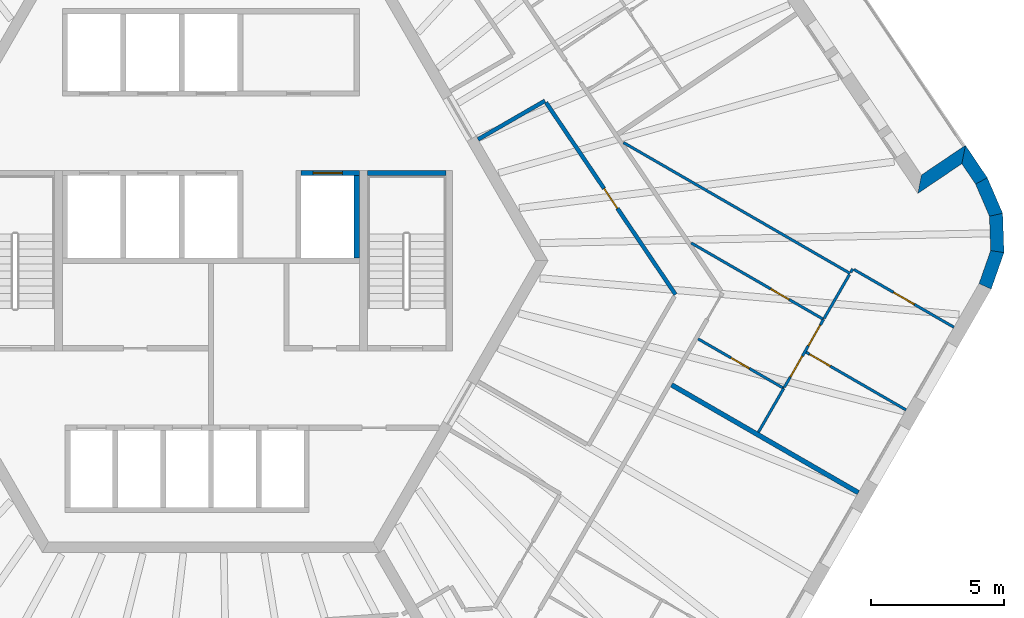
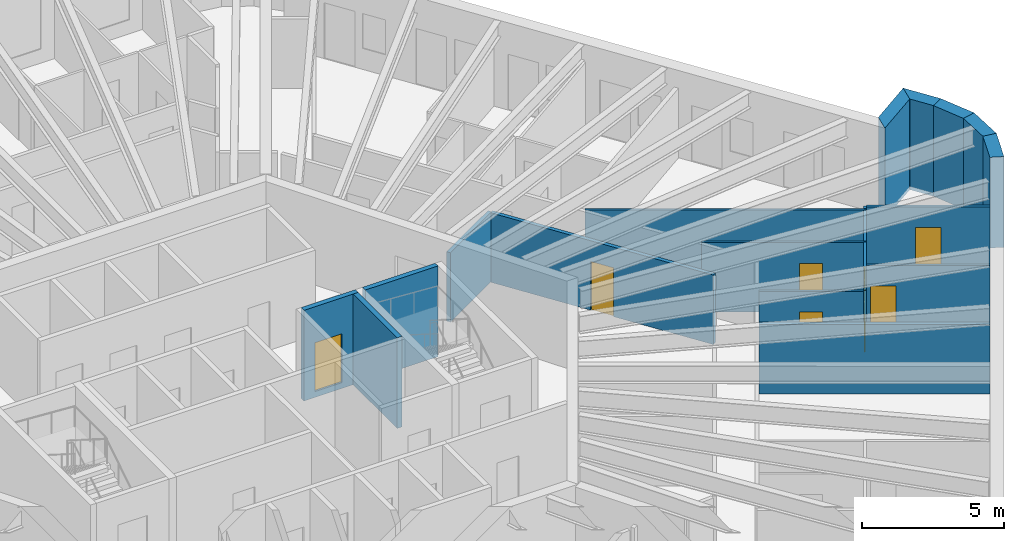
# One storey, part 7 of 12: 20 walls, 8 doors, 8 openings.
"""IFC4 building model written with IfcOpenShell, lengths in metres."""

from ifc_helpers import new_model, si_unit, direction, frame, frame_2d, origin, place, context, subcontext, project, spatial, polyline, rectangle, outline, extrude, material, layer, layer_set, type_object, element, fill, save


model = new_model("IFC4")

# Units and contexts
model_context = context("Model", 3, precision=1e-05, world=origin(), true_north=direction((0.0, 1.0)))
body_context = subcontext(model_context, "Body", "Model", "MODEL_VIEW")
ifc_project = project(units=[si_unit("LENGTHUNIT", "METRE"), si_unit("AREAUNIT", "SQUARE_METRE"), si_unit("VOLUMEUNIT", "CUBIC_METRE"), si_unit("PLANEANGLEUNIT", "RADIAN"), si_unit("MASSUNIT", "GRAM", prefix="KILO")], contexts=[model_context])

# Site, building, storey
site_placement = place(None, origin())
site = spatial("IfcSite", under=ifc_project, at=site_placement, CompositionType="ELEMENT")
building_placement = place(site_placement, origin())
building = spatial("IfcBuilding", under=site, at=building_placement, Name="Tarnside Tower", CompositionType="ELEMENT")
storey_placement = place(building_placement, frame((0.0, 0.0, 287.39990234375)))
storey = spatial("IfcBuildingStorey", under=building, at=storey_placement, Name="L69", CompositionType="ELEMENT", Elevation=287.39990234375)

# Wall
ifc_material_1 = material(Name="Gypsum board partition on steel studs", Category="steel")
ifc_layer_1 = layer(ifc_material_1, 0.10009765625)
ifc_layer_set_1 = layer_set([ifc_layer_1], Name="Bathroom wall 100")
wall_type_1 = type_object("IfcWallType", Name="Bathroom wall 100", PredefinedType="PARTITIONING", material=ifc_layer_set_1)
wall_1_placement = place(storey_placement, frame((15.54541015625, 4.447998046875, 0.0), z_axis=(0.0, 0.0, 1.0), x_axis=(0.866022320763, -0.500005339912, 0.0)))
element("IfcWall", 1, at=wall_1_placement, inside=storey, type_object=wall_type_1, Name="Bathroom wall 22157", PredefinedType="PARTITIONING", context=body_context, shape_type="SweptSolid", body=[
    extrude(rectangle(XDim=9.861328125, YDim=0.10009765625, at=frame_2d((4.9306640625, 0.0))), origin(), (0.0, 0.0, 1.0), 2.98779296875),
])

# Wall, opening, door
wall_2_placement = place(storey_placement, frame((18.359619140625, -2.9501953125, 0.0), z_axis=(0.0, 0.0, 1.0), x_axis=(0.866012039196, -0.500023147432, 0.0)))
wall_2 = element("IfcWall", 2, at=wall_2_placement, inside=storey, type_object=wall_type_1, Name="Bathroom wall 22160", PredefinedType="PARTITIONING", context=body_context, shape_type="SweptSolid", body=[
    extrude(rectangle(XDim=3.724853515625, YDim=0.10009765625, at=frame_2d((1.8623046875, 0.0))), origin(), (0.0, 0.0, 1.0), 2.98779296875),
])
opening_1_placement = place(wall_2_placement, frame((1.425048828125, 0.0, 0.0)))
opening_1 = element("IfcOpeningElement", 3, at=opening_1_placement, cuts=wall_2, Name="Opening D-B1", PredefinedType="OPENING", context=body_context, shape_type="SweptSolid", body=[
    extrude(rectangle(XDim=0.800048828125, YDim=2.10009765625, at=frame_2d((0.39990234375, 1.050048828125))), frame((0.0, 0.06005859375, 0.0), z_axis=(0.0, -1.0, 0.0), x_axis=(1.0, 0.0, 0.0)), (0.0, 0.0, 1.0), 0.1201171875),
])
ifc_material_2 = material(Name="Timber door leaf", Category="wood")
door_type_1 = type_object("IfcDoorType", Name="Bathroom door 800", OperationType="NOTDEFINED", PredefinedType="DOOR", material=ifc_material_2)
door_1_placement = place(opening_1_placement, origin())
door_1 = element("IfcDoor", 4, at=door_1_placement, inside=storey, type_object=door_type_1, Name="Bathroom door 22066", OperationType="SINGLE_SWING_RIGHT", OverallHeight=2.10009765625, OverallWidth=0.800048828125, PredefinedType="DOOR", context=body_context, shape_type="SweptSolid", body=[
    extrude(rectangle(XDim=0.800048828125, YDim=2.10009765625, at=frame_2d((0.39990234375, 1.050048828125))), frame((0.0, 0.02490234375, 0.0), z_axis=(0.0, -1.0, 0.0), x_axis=(1.0, 0.0, 0.0)), (0.0, 0.0, 1.0), 0.050048828125),
])
fill(opening_1, door_1)

wall_3_placement = place(storey_placement, frame((23.08544921875, -2.214599609375, 0.0), z_axis=(0.0, 0.0, 1.0), x_axis=(-0.866017611601, 0.500013496215, 0.0)))
wall_3 = element("IfcWall", 5, at=wall_3_placement, inside=storey, type_object=wall_type_1, Name="Bathroom wall 22163", PredefinedType="PARTITIONING", context=body_context, shape_type="SweptSolid", body=[
    extrude(rectangle(XDim=5.760498046875, YDim=0.10009765625, at=frame_2d((2.88037109375, 0.0))), origin(), (0.0, 0.0, 1.0), 2.98779296875),
])
opening_2_placement = place(wall_3_placement, frame((1.5, 0.0, 0.0)))
opening_2 = element("IfcOpeningElement", 6, at=opening_2_placement, cuts=wall_3, Name="Opening D-B1", PredefinedType="OPENING", context=body_context, shape_type="SweptSolid", body=[
    extrude(rectangle(XDim=0.800048828125, YDim=2.10009765625, at=frame_2d((0.39990234375, 1.050048828125))), frame((0.0, 0.06005859375, 0.0), z_axis=(0.0, -1.0, 0.0), x_axis=(1.0, 0.0, 0.0)), (0.0, 0.0, 1.0), 0.1201171875),
])
door_2_placement = place(opening_2_placement, origin())
door_2 = element("IfcDoor", 7, at=door_2_placement, inside=storey, type_object=door_type_1, Name="Bathroom door 22073", OperationType="SINGLE_SWING_RIGHT", OverallHeight=2.10009765625, OverallWidth=0.800048828125, PredefinedType="DOOR", context=body_context, shape_type="SweptSolid", body=[
    extrude(rectangle(XDim=0.800048828125, YDim=2.10009765625, at=frame_2d((0.39990234375, 1.050048828125))), frame((0.0, 0.02490234375, 0.0), z_axis=(0.0, -1.0, 0.0), x_axis=(1.0, 0.0, 0.0)), (0.0, 0.0, 1.0), 0.050048828125),
])
fill(opening_2, door_2)

# Walls
wall_4_placement = place(storey_placement, frame((20.630615234375, -6.466796875, 0.0), z_axis=(0.0, 0.0, 1.0), x_axis=(0.49994353734, 0.866058000062, 0.0)))
element("IfcWall", 8, at=wall_4_placement, inside=storey, type_object=wall_type_1, Name="Bathroom wall 22164", PredefinedType="PARTITIONING", context=body_context, shape_type="SweptSolid", body=[
    extrude(rectangle(XDim=1.911865234375, YDim=0.10009765625, at=frame_2d((0.9560546875, 0.0))), origin(), (0.0, 0.0, 1.0), 2.98779296875),
])
wall_5_placement = place(storey_placement, frame((24.060546875, -0.52587890625, 0.0), z_axis=(0.0, 0.0, 1.0), x_axis=(-0.499967155389, -0.866044365799, 0.0)))
element("IfcWall", 9, at=wall_5_placement, inside=storey, type_object=wall_type_1, Name="Bathroom wall 22166", PredefinedType="PARTITIONING", context=body_context, shape_type="SweptSolid", body=[
    extrude(rectangle(XDim=1.900146484375, YDim=0.10009765625, at=frame_2d((0.9501953125, 0.0))), origin(), (0.0, 0.0, 1.0), 2.98779296875),
])
ifc_layer_2 = layer(ifc_material_1, 0.14990234375)
ifc_layer_set_2 = layer_set([ifc_layer_2], Name="Corridor wall 150 EI 60")
wall_type_2 = type_object("IfcWallType", Name="Corridor wall 150 EI 60", PredefinedType="PARTITIONING", material=ifc_layer_set_2)
wall_6_placement = place(storey_placement, frame((10.065673828125, 4.565673828125, 0.0), z_axis=(0.0, 0.0, 1.0), x_axis=(0.866034661658, 0.49998396455, 0.0)))
element("IfcWall", 10, at=wall_6_placement, inside=storey, type_object=wall_type_2, Name="Corridor wall 22072", PredefinedType="PARTITIONING", context=body_context, shape_type="SweptSolid", body=[
    extrude(rectangle(XDim=2.9091796875, YDim=0.14990234375, at=frame_2d((1.45458984375, 0.0))), origin(), (0.0, 0.0, 1.0), 2.98779296875),
])

# Wall, opening, door
wall_7_placement = place(storey_placement, frame((12.627197265625, 5.9580078125, 0.0), z_axis=(0.0, 0.0, 1.0), x_axis=(0.559185493191, -0.829042570804, 0.0)))
wall_7 = element("IfcWall", 11, at=wall_7_placement, inside=storey, type_object=wall_type_2, Name="Corridor wall 22073", PredefinedType="PARTITIONING", context=body_context, shape_type="SweptSolid", body=[
    extrude(rectangle(XDim=8.726806640625, YDim=0.14990234375, at=frame_2d((4.36328125, 0.0))), origin(), (0.0, 0.0, 1.0), 2.98779296875),
])
opening_3_placement = place(wall_7_placement, frame((3.913330078125, 0.0, 0.0)))
opening_3 = element("IfcOpeningElement", 12, at=opening_3_placement, cuts=wall_7, Name="Opening D-S1", PredefinedType="OPENING", context=body_context, shape_type="SweptSolid", body=[
    extrude(rectangle(XDim=0.89990234375, YDim=2.10009765625, at=frame_2d((0.449951171875, 1.050048828125))), frame((0.0, 0.0849609375, 0.0), z_axis=(0.0, -1.0, 0.0), x_axis=(1.0, 0.0, 0.0)), (0.0, 0.0, 1.0), 0.169921875),
])
door_type_2 = type_object("IfcDoorType", Name="Service room door 900 FD30S", OperationType="NOTDEFINED", PredefinedType="DOOR", material=ifc_material_2)
door_3_placement = place(opening_3_placement, origin())
door_3 = element("IfcDoor", 13, at=door_3_placement, inside=storey, type_object=door_type_2, Name="Service door 22090", OperationType="SINGLE_SWING_RIGHT", OverallHeight=2.10009765625, OverallWidth=0.89990234375, PredefinedType="DOOR", context=body_context, shape_type="SweptSolid", body=[
    extrude(rectangle(XDim=0.89990234375, YDim=2.10009765625, at=frame_2d((0.449951171875, 1.050048828125))), frame((0.0, 0.02490234375, 0.0), z_axis=(0.0, -1.0, 0.0), x_axis=(1.0, 0.0, 0.0)), (0.0, 0.0, 1.0), 0.050048828125),
])
fill(opening_3, door_3)

# Wall
ifc_layer_3 = layer(ifc_material_1, 0.179931640625)
ifc_layer_set_3 = layer_set([ifc_layer_3], Name="Demising wall 180 EI 60")
wall_type_3 = type_object("IfcWallType", Name="Demising wall 180 EI 60", PredefinedType="PARTITIONING", material=ifc_layer_set_3)
wall_8_placement = place(storey_placement, frame((24.39599609375, -8.744873046875, 0.0), z_axis=(0.0, 0.0, 1.0), x_axis=(-0.866022959057, 0.500004234368, 0.0)))
element("IfcWall", 14, at=wall_8_placement, inside=storey, type_object=wall_type_3, Name="Demising wall 22148", PredefinedType="PARTITIONING", context=body_context, shape_type="SweptSolid", body=[
    extrude(rectangle(XDim=8.125, YDim=0.179931640625, at=frame_2d((4.0625, 0.0))), origin(), (0.0, 0.0, 1.0), 2.98779296875),
])

# Wall, opening, door
ifc_material_3 = material(Name="Concrete C40/50", Category="concrete")
ifc_layer_4 = layer(ifc_material_3, 0.199951171875)
ifc_layer_set_4 = layer_set([ifc_layer_4], Name="Lift shaft wall 200 C40/50")
wall_type_4 = type_object("IfcWallType", Name="Lift shaft wall 200 C40/50", PredefinedType="SHEAR", material=ifc_layer_set_4)
wall_9_placement = place(storey_placement, frame((3.39990234375, 3.300048828125, -0.25), z_axis=(0.0, 0.0, 1.0), x_axis=(1.0, 0.0, 0.0)))
wall_9 = element("IfcWall", 15, at=wall_9_placement, inside=storey, type_object=wall_type_4, Name="L69 lift shaft front wall R2 2", PredefinedType="SHEAR", context=body_context, shape_type="SweptSolid", body=[
    extrude(rectangle(XDim=2.2001953125, YDim=0.199951171875, at=frame_2d((1.10009765625, 0.0))), origin(), (0.0, 0.0, 1.0), 3.900146484375),
])
opening_4_placement = place(wall_9_placement, frame((0.449951171875, 0.0, 0.25)))
opening_4 = element("IfcOpeningElement", 16, at=opening_4_placement, cuts=wall_9, Name="Opening LD", PredefinedType="OPENING", context=body_context, shape_type="SweptSolid", body=[
    extrude(rectangle(XDim=1.10009765625, YDim=2.10009765625, at=frame_2d((0.550048828125, 1.050048828125))), frame((0.0, 0.10986328125, 0.0), z_axis=(0.0, -1.0, 0.0), x_axis=(1.0, 0.0, 0.0)), (0.0, 0.0, 1.0), 0.219970703125),
])
ifc_material_4 = material(Name="Stainless steel", Category="steel")
door_type_3 = type_object("IfcDoorType", Name="Lift landing door 1100x2100", OperationType="NOTDEFINED", PredefinedType="DOOR", material=ifc_material_4)
door_4_placement = place(opening_4_placement, origin())
door_4 = element("IfcDoor", 17, at=door_4_placement, inside=storey, type_object=door_type_3, Name="Express sky-lobby shuttle 2 landing door L69", OperationType="SLIDING_TO_LEFT", OverallHeight=2.10009765625, OverallWidth=1.10009765625, PredefinedType="DOOR", context=body_context, shape_type="SweptSolid", body=[
    extrude(rectangle(XDim=1.10009765625, YDim=2.10009765625, at=frame_2d((0.550048828125, 1.050048828125))), frame((0.0, 0.02490234375, 0.0), z_axis=(0.0, -1.0, 0.0), x_axis=(1.0, 0.0, 0.0)), (0.0, 0.0, 1.0), 0.050048828125),
])
fill(opening_4, door_4)

# Walls
wall_10_placement = place(storey_placement, frame((5.5, 0.10009765625, -0.25), z_axis=(0.0, 0.0, 1.0), x_axis=(0.0, 1.0, 0.0)))
element("IfcWall", 18, at=wall_10_placement, inside=storey, type_object=wall_type_4, Name="L69 lift shaft partition R26", PredefinedType="SHEAR", context=body_context, shape_type="SweptSolid", body=[
    extrude(rectangle(XDim=3.099853515625, YDim=0.199951171875, at=frame_2d((1.5498046875, 0.0))), origin(), (0.0, 0.0, 1.0), 3.900146484375),
])
wall_11_placement = place(storey_placement, frame((5.89990234375, 3.300048828125, -0.25), z_axis=(0.0, 0.0, 1.0), x_axis=(1.0, 0.0, 0.0)))
element("IfcWall", 19, at=wall_11_placement, inside=storey, type_object=wall_type_4, Name="L69 stair 1 enclosure cap wall n", PredefinedType="SHEAR", context=body_context, shape_type="SweptSolid", body=[
    extrude(rectangle(XDim=2.9501953125, YDim=0.199951171875, at=frame_2d((1.47509765625, 0.0))), origin(), (0.0, 0.0, 1.0), 3.900146484375),
])
ifc_material_5 = material(Name="Dark zinc cladding")
ifc_layer_5 = layer(ifc_material_5, 0.10205078125)
ifc_material_6 = material(Name="Concrete C60/75 precast", Category="concrete")
ifc_layer_6 = layer(ifc_material_6, 0.298095703125)
ifc_material_7 = material(Name="Mineral wool insulation")
ifc_layer_7 = layer(ifc_material_7, 0.10009765625)
ifc_layer_set_5 = layer_set([ifc_layer_5, ifc_layer_6, ifc_layer_7], Name="Loggia wall 500 zinc faced")
wall_type_5 = type_object("IfcWallType", Name="Loggia wall 500 zinc faced", PredefinedType="SOLIDWALL", material=ifc_layer_set_5)
wall_12_placement = place(storey_placement, frame((29.034912109375, 3.00244140625, -0.14990234375), z_axis=(0.0, 0.0, 1.0), x_axis=(-0.559200218553, 0.829032638423, 0.0)))
element("IfcWall", 20, at=wall_12_placement, inside=storey, type_object=wall_type_5, Name="Tube wall L69 F6 stub 28", PredefinedType="SOLIDWALL", context=body_context, shape_type="SweptSolid", body=[
    extrude(outline(polyline([(-0.0234375, -0.25), (1.44970703125, -0.25), (0.94970703125, 0.25), (0.0234375, 0.25), (-0.0234375, -0.25)])), origin(), (0.0, 0.0, 1.0), 3.89990234375),
])
wall_13_placement = place(storey_placement, frame((28.364013671875, 3.9970703125, -0.14990234375), z_axis=(0.0, 0.0, 1.0), x_axis=(-0.829108975345, -0.5590870299, 0.0)))
element("IfcWall", 21, at=wall_13_placement, inside=storey, type_object=wall_type_5, Name="Tube wall L69 F6 return 29", PredefinedType="SOLIDWALL", context=body_context, shape_type="SweptSolid", body=[
    extrude(outline(polyline([(-0.25, -0.25), (1.75, -0.25), (2.25, 0.25), (0.25, 0.25), (-0.25, -0.25)])), origin(), (0.0, 0.0, 1.0), 3.89990234375),
])
ifc_layer_8 = layer(ifc_material_1, 0.10009765625)
ifc_layer_set_6 = layer_set([ifc_layer_8], Name="Partition 100")
wall_type_6 = type_object("IfcWallType", Name="Partition 100", PredefinedType="PARTITIONING", material=ifc_layer_set_6)
wall_14_placement = place(storey_placement, frame((24.109619140625, -0.441162109375, 0.0), z_axis=(0.0, 0.0, 1.0), x_axis=(0.499074005857, 0.866559367082, 0.0)))
element("IfcWall", 22, at=wall_14_placement, inside=storey, type_object=wall_type_6, Name="Partition wall 22155", PredefinedType="PARTITIONING", context=body_context, shape_type="SweptSolid", body=[
    extrude(rectangle(XDim=0.152099609375, YDim=0.10009765625, at=frame_2d((0.076171875, 0.0))), origin(), (0.0, 0.0, 1.0), 2.98779296875),
])

# Wall, opening, door
wall_15_placement = place(storey_placement, frame((24.228759765625, -0.33447265625, 0.0), z_axis=(0.0, 0.0, 1.0), x_axis=(0.866027639635, -0.499996127374, 0.0)))
wall_15 = element("IfcWall", 23, at=wall_15_placement, inside=storey, type_object=wall_type_6, Name="Partition wall 22156", PredefinedType="PARTITIONING", context=body_context, shape_type="SweptSolid", body=[
    extrude(rectangle(XDim=4.35009765625, YDim=0.10009765625, at=frame_2d((2.175048828125, 0.0))), origin(), (0.0, 0.0, 1.0), 2.98779296875),
])
opening_5_placement = place(wall_15_placement, frame((1.72509765625, 0.0, 0.0)))
opening_5 = element("IfcOpeningElement", 24, at=opening_5_placement, cuts=wall_15, Name="Opening D-I1", PredefinedType="OPENING", context=body_context, shape_type="SweptSolid", body=[
    extrude(rectangle(XDim=0.89990234375, YDim=2.10009765625, at=frame_2d((0.449951171875, 1.050048828125))), frame((0.0, 0.06005859375, 0.0), z_axis=(0.0, -1.0, 0.0), x_axis=(1.0, 0.0, 0.0)), (0.0, 0.0, 1.0), 0.1201171875),
])
door_type_4 = type_object("IfcDoorType", Name="Internal door 900", OperationType="NOTDEFINED", PredefinedType="DOOR", material=ifc_material_2)
door_5_placement = place(opening_5_placement, origin())
door_5 = element("IfcDoor", 25, at=door_5_placement, inside=storey, type_object=door_type_4, Name="Internal door 22085", OperationType="SINGLE_SWING_RIGHT", OverallHeight=2.10009765625, OverallWidth=0.89990234375, PredefinedType="DOOR", context=body_context, shape_type="SweptSolid", body=[
    extrude(rectangle(XDim=0.89990234375, YDim=2.10009765625, at=frame_2d((0.449951171875, 1.050048828125))), frame((0.0, 0.02490234375, 0.0), z_axis=(0.0, -1.0, 0.0), x_axis=(1.0, 0.0, 0.0)), (0.0, 0.0, 1.0), 0.050048828125),
])
fill(opening_5, door_5)

# Wall, openings, doors
wall_16_placement = place(storey_placement, frame((21.609619140625, -4.771240234375, 0.0), z_axis=(0.0, 0.0, 1.0), x_axis=(0.499934698534, 0.866063102321, 0.0)))
wall_16 = element("IfcWall", 26, at=wall_16_placement, inside=storey, type_object=wall_type_6, Name="Partition wall 22161", PredefinedType="PARTITIONING", context=body_context, shape_type="SweptSolid", body=[
    extrude(rectangle(XDim=2.9541015625, YDim=0.10009765625, at=frame_2d((1.47705078125, 0.0))), origin(), (0.0, 0.0, 1.0), 2.98779296875),
])
opening_6_placement = place(wall_16_placement, frame((0.451904296875, 0.0, 0.0)))
opening_6 = element("IfcOpeningElement", 27, at=opening_6_placement, cuts=wall_16, Name="Opening D-I1", PredefinedType="OPENING", context=body_context, shape_type="SweptSolid", body=[
    extrude(rectangle(XDim=0.89990234375, YDim=2.10009765625, at=frame_2d((0.449951171875, 1.050048828125))), frame((0.0, 0.06005859375, 0.0), z_axis=(0.0, -1.0, 0.0), x_axis=(1.0, 0.0, 0.0)), (0.0, 0.0, 1.0), 0.1201171875),
])
opening_7_placement = place(wall_16_placement, frame((1.802001953125, 0.0, 0.0)))
opening_7 = element("IfcOpeningElement", 28, at=opening_7_placement, cuts=wall_16, Name="Opening D-I1", PredefinedType="OPENING", context=body_context, shape_type="SweptSolid", body=[
    extrude(rectangle(XDim=0.89990234375, YDim=2.10009765625, at=frame_2d((0.449951171875, 1.050048828125))), frame((0.0, 0.06005859375, 0.0), z_axis=(0.0, -1.0, 0.0), x_axis=(1.0, 0.0, 0.0)), (0.0, 0.0, 1.0), 0.1201171875),
])
door_6_placement = place(opening_6_placement, origin())
door_6 = element("IfcDoor", 29, at=door_6_placement, inside=storey, type_object=door_type_4, Name="Internal door 22068", OperationType="SINGLE_SWING_LEFT", OverallHeight=2.10009765625, OverallWidth=0.89990234375, PredefinedType="DOOR", context=body_context, shape_type="SweptSolid", body=[
    extrude(rectangle(XDim=0.89990234375, YDim=2.10009765625, at=frame_2d((0.449951171875, 1.050048828125))), frame((0.0, 0.02490234375, 0.0), z_axis=(0.0, -1.0, 0.0), x_axis=(1.0, 0.0, 0.0)), (0.0, 0.0, 1.0), 0.050048828125),
])
fill(opening_6, door_6)
door_7_placement = place(opening_7_placement, origin())
door_7 = element("IfcDoor", 30, at=door_7_placement, inside=storey, type_object=door_type_4, Name="Internal door 22072", OperationType="SINGLE_SWING_LEFT", OverallHeight=2.10009765625, OverallWidth=0.89990234375, PredefinedType="DOOR", context=body_context, shape_type="SweptSolid", body=[
    extrude(rectangle(XDim=0.89990234375, YDim=2.10009765625, at=frame_2d((0.449951171875, 1.050048828125))), frame((0.0, 0.02490234375, 0.0), z_axis=(0.0, -1.0, 0.0), x_axis=(1.0, 0.0, 0.0)), (0.0, 0.0, 1.0), 0.050048828125),
])
fill(opening_7, door_7)

# Wall, opening, door
wall_17_placement = place(storey_placement, frame((26.196044921875, -5.627197265625, 0.0), z_axis=(0.0, 0.0, 1.0), x_axis=(-0.866013608182, 0.500020430026, 0.0)))
wall_17 = element("IfcWall", 31, at=wall_17_placement, inside=storey, type_object=wall_type_6, Name="Partition wall 22165", PredefinedType="PARTITIONING", context=body_context, shape_type="SweptSolid", body=[
    extrude(rectangle(XDim=4.349853515625, YDim=0.10009765625, at=frame_2d((2.1748046875, 0.0))), origin(), (0.0, 0.0, 1.0), 2.98779296875),
])
opening_8_placement = place(wall_17_placement, frame((3.300048828125, 0.0, 0.0)))
opening_8 = element("IfcOpeningElement", 32, at=opening_8_placement, cuts=wall_17, Name="Opening D-I1", PredefinedType="OPENING", context=body_context, shape_type="SweptSolid", body=[
    extrude(rectangle(XDim=0.89990234375, YDim=2.10009765625, at=frame_2d((0.449951171875, 1.050048828125))), frame((0.0, 0.06005859375, 0.0), z_axis=(0.0, -1.0, 0.0), x_axis=(1.0, 0.0, 0.0)), (0.0, 0.0, 1.0), 0.1201171875),
])
door_8_placement = place(opening_8_placement, origin())
door_8 = element("IfcDoor", 33, at=door_8_placement, inside=storey, type_object=door_type_4, Name="Internal door 22071", OperationType="SINGLE_SWING_RIGHT", OverallHeight=2.10009765625, OverallWidth=0.89990234375, PredefinedType="DOOR", context=body_context, shape_type="SweptSolid", body=[
    extrude(rectangle(XDim=0.89990234375, YDim=2.10009765625, at=frame_2d((0.449951171875, 1.050048828125))), frame((0.0, 0.02490234375, 0.0), z_axis=(0.0, -1.0, 0.0), x_axis=(1.0, 0.0, 0.0)), (0.0, 0.0, 1.0), 0.050048828125),
])
fill(opening_8, door_8)

# Walls
ifc_material_8 = material(Name="Facing brick", Category="masonry")
ifc_layer_9 = layer(ifc_material_8, 0.10205078125)
ifc_layer_10 = layer(ifc_material_6, 0.298095703125)
ifc_layer_11 = layer(ifc_material_7, 0.10009765625)
ifc_layer_set_7 = layer_set([ifc_layer_9, ifc_layer_10, ifc_layer_11], Name="Tube wall 500 brick faced")
wall_type_7 = type_object("IfcWallType", Name="Tube wall 500 brick faced", PredefinedType="SOLIDWALL", material=ifc_layer_set_7)
wall_18_placement = place(storey_placement, frame((29.173828125, -0.9697265625, -0.14990234375), z_axis=(0.0, 0.0, 1.0), x_axis=(0.330961348063, 0.943644311215, 0.0)))
element("IfcWall", 34, at=wall_18_placement, inside=storey, type_object=wall_type_7, Name="Tube wall L69 F5 chord 25", PredefinedType="SOLIDWALL", context=body_context, shape_type="SweptSolid", body=[
    extrude(outline(polyline([(-0.0234375, -0.25), (1.435302734375, -0.25), (1.341064453125, 0.25), (0.0234375, 0.25), (-0.0234375, -0.25)])), origin(), (0.0, 0.0, 1.0), 3.89990234375),
])
wall_19_placement = place(storey_placement, frame((29.63330078125, 0.34033203125, -0.14990234375), z_axis=(0.0, 0.0, 1.0), x_axis=(-0.034825746769, 0.999393399699, 0.0)))
element("IfcWall", 35, at=wall_19_placement, inside=storey, type_object=wall_type_7, Name="Tube wall L69 F5 chord 26", PredefinedType="SOLIDWALL", context=body_context, shape_type="SweptSolid", body=[
    extrude(outline(polyline([(-0.047119140625, -0.25), (1.43505859375, -0.25), (1.3408203125, 0.25), (0.047119140625, 0.25), (-0.047119140625, -0.25)])), origin(), (0.0, 0.0, 1.0), 3.89990234375),
])
wall_20_placement = place(storey_placement, frame((29.5849609375, 1.7275390625, -0.14990234375), z_axis=(0.0, 0.0, 1.0), x_axis=(-0.396146339195, 0.918187387162, 0.0)))
element("IfcWall", 36, at=wall_20_placement, inside=storey, type_object=wall_type_7, Name="Tube wall L69 F5 chord 27", PredefinedType="SOLIDWALL", context=body_context, shape_type="SweptSolid", body=[
    extrude(outline(polyline([(-0.047119140625, -0.25), (1.411865234375, -0.25), (1.364990234375, 0.25), (0.047119140625, 0.25), (-0.047119140625, -0.25)])), origin(), (0.0, 0.0, 1.0), 3.89990234375),
])

save(model, "model.ifc")
